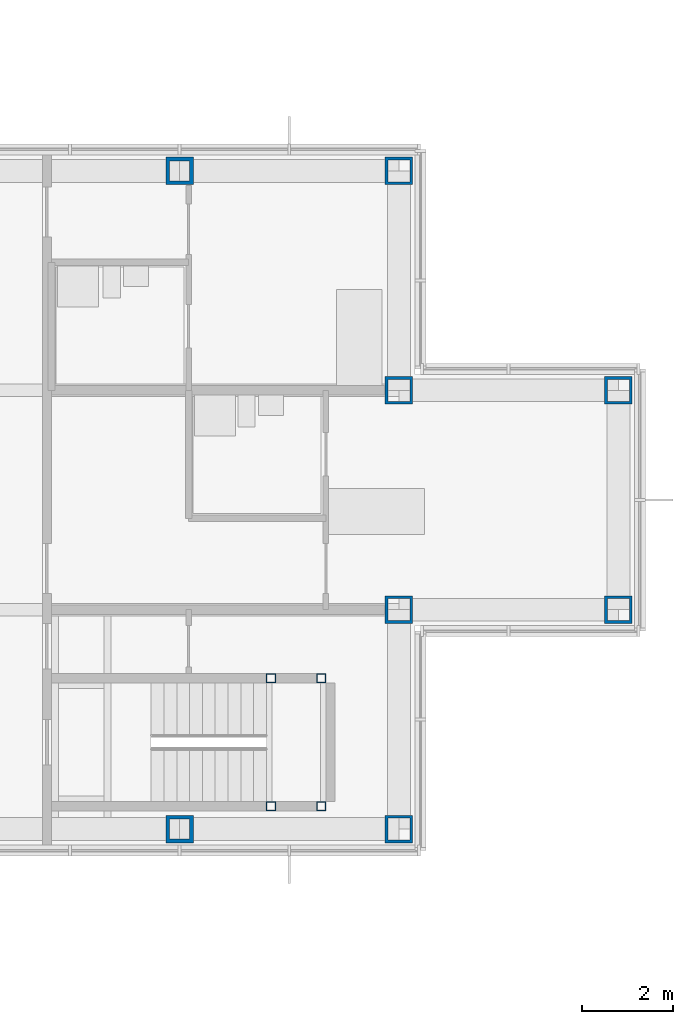
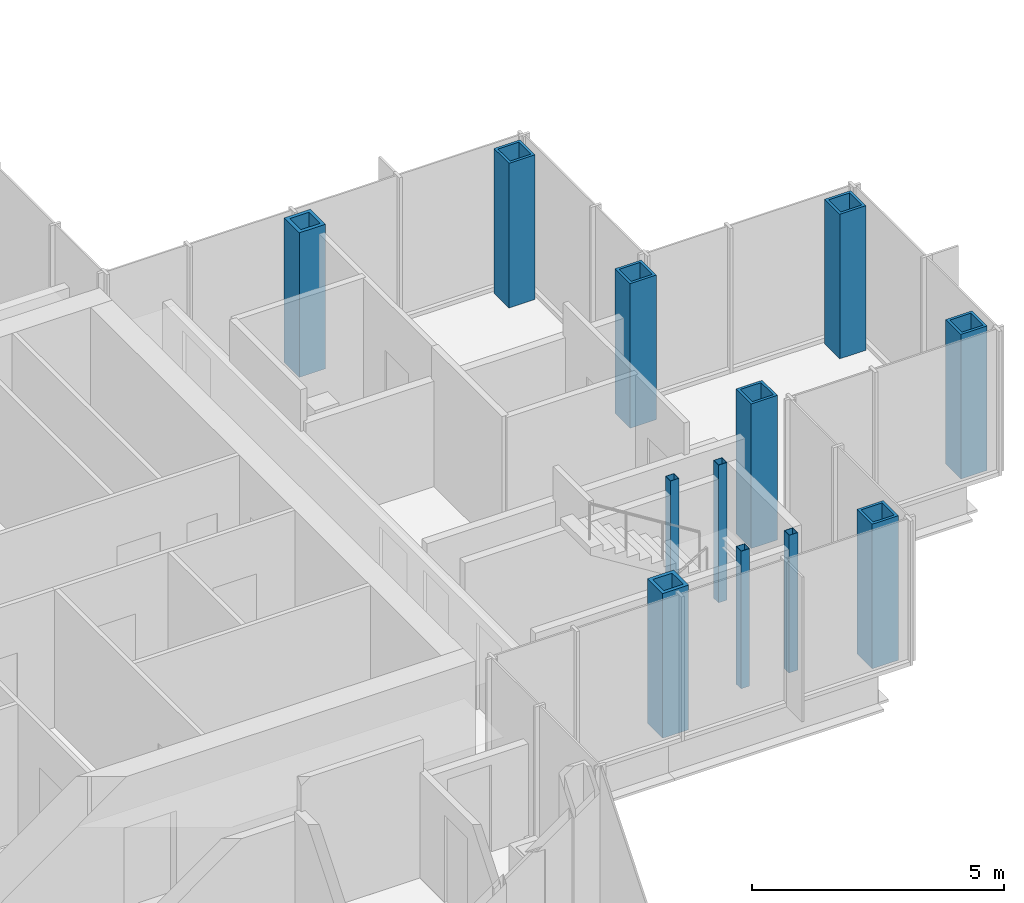
# One storey, part 4 of 17: 12 columns.
"""IFC4 building model written with IfcOpenShell, lengths in metres."""

from ifc_helpers import new_model, si_unit, direction, frame, origin, origin_2d, place, context, subcontext, project, spatial, hollow_rectangle, extrude, material, material_profile, profile_set, type_object, element, save


model = new_model("IFC4")

# Units and contexts
model_context = context("Model", 3, precision=1e-05, world=origin(), true_north=direction((0.0, 1.0)))
body_context = subcontext(model_context, "Body", "Model", "MODEL_VIEW")
ifc_project = project(units=[si_unit("LENGTHUNIT", "METRE"), si_unit("AREAUNIT", "SQUARE_METRE"), si_unit("VOLUMEUNIT", "CUBIC_METRE"), si_unit("PLANEANGLEUNIT", "RADIAN"), si_unit("MASSUNIT", "GRAM", prefix="KILO")], contexts=[model_context])

# Site, building, storey
site_placement = place(None, origin())
site = spatial("IfcSite", under=ifc_project, at=site_placement, CompositionType="ELEMENT")
building_placement = place(site_placement, origin())
building = spatial("IfcBuilding", under=site, at=building_placement, Name="Kvirike Care Tower", CompositionType="ELEMENT")
storey_placement = place(building_placement, frame((0.0, 0.0, 155.0)))
storey = spatial("IfcBuildingStorey", under=building, at=storey_placement, Name="L42", CompositionType="ELEMENT", Elevation=155.0)

# Columns
ifc_material_1 = material(Name="Steel S460", Category="steel")
ifc_material_profile_1 = material_profile(ifc_material_1, hollow_rectangle(XDim=0.60009765625, YDim=0.60009765625, WallThickness=0.06005859375, at=origin_2d()), Name="BX 600x600x60")
ifc_profile_set_1 = profile_set([ifc_material_profile_1], Name="Steel S460")
column_type_1 = type_object("IfcColumnType", Name="COLUMN BX 600x600x60", PredefinedType="COLUMN", material=ifc_profile_set_1)
for number, where, z_axis, x_axis, name in (
    (1, (38.39990234375, 28.800048828125, 0.0), (0.0, 0.0, 1.0), (0.0, 1.0, 0.0), "Column G11 L42"),
    (2, (38.39990234375, 33.60009765625, 0.0), (0.0, 0.0, 1.0), (0.0, 1.0, 0.0), "Column H11 L42"),
    (3, (38.39990234375, 38.39990234375, 0.0), (0.0, 0.0, 1.0), (0.0, 1.0, 0.0), "Column J11 L42"),
    (4, (38.39990234375, 43.199951171875, 0.0), (0.0, 0.0, 1.0), (0.0, 1.0, 0.0), "Column K11 L42"),
    (5, (43.199951171875, 33.60009765625, 0.0), (0.0, 0.0, 1.0), (0.0, 1.0, 0.0), "Column H12 L42"),
    (6, (43.199951171875, 38.39990234375, 0.0), (0.0, 0.0, 1.0), (0.0, 1.0, 0.0), "Column J12 L42"),
):
    element("IfcColumn", number, at=place(storey_placement, frame(where, z_axis=z_axis, x_axis=x_axis)), inside=storey, type_object=column_type_1, Name=name, PredefinedType="COLUMN", context=body_context, shape_type="SweptSolid", body=[
        extrude(hollow_rectangle(XDim=0.60009765625, YDim=0.60009765625, WallThickness=0.06005859375, at=origin_2d()), origin(), (0.0, 0.0, 1.0), 3.5),
    ])
ifc_material_2 = material(Name="Steel S460", Category="steel")
ifc_material_profile_2 = material_profile(ifc_material_2, hollow_rectangle(XDim=0.60009765625, YDim=0.60009765625, WallThickness=0.080078125, at=origin_2d()), Name="BX 600x600x80")
ifc_profile_set_2 = profile_set([ifc_material_profile_2], Name="Steel S460")
column_type_2 = type_object("IfcColumnType", Name="COLUMN BX 600x600x80", PredefinedType="COLUMN", material=ifc_profile_set_2)
for number, where, z_axis, x_axis, name in (
    (7, (33.60009765625, 28.800048828125, 0.0), (0.0, 0.0, 1.0), (0.0, 1.0, 0.0), "Column G10 L42"),
    (8, (33.60009765625, 43.199951171875, 0.0), (0.0, 0.0, 1.0), (0.0, 1.0, 0.0), "Column K10 L42"),
):
    element("IfcColumn", number, at=place(storey_placement, frame(where, z_axis=z_axis, x_axis=x_axis)), inside=storey, type_object=column_type_2, Name=name, PredefinedType="COLUMN", context=body_context, shape_type="SweptSolid", body=[
        extrude(hollow_rectangle(XDim=0.60009765625, YDim=0.60009765625, WallThickness=0.080078125, at=origin_2d()), origin(), (0.0, 0.0, 1.0), 3.5),
    ])
ifc_material_3 = material(Name="Steel S460", Category="steel")
ifc_material_profile_3 = material_profile(ifc_material_3, hollow_rectangle(XDim=0.199951171875, YDim=0.199951171875, WallThickness=0.008056640625, at=origin_2d()), Name="SHS 200x200x8")
ifc_profile_set_3 = profile_set([ifc_material_profile_3], Name="Steel S460")
column_type_3 = type_object("IfcColumnType", Name="STAIR POST SHS 200x200x8", PredefinedType="COLUMN", material=ifc_profile_set_3)
for number, where, z_axis, x_axis, name in (
    (9, (36.699951171875, 29.300048828125, 0.0), (0.0, 0.0, 1.0), (1.0, 0.0, 0.0), "Stair 2 post 1 L42"),
    (10, (36.699951171875, 32.10009765625, 0.0), (0.0, 0.0, 1.0), (1.0, 0.0, 0.0), "Stair 2 post 2 L42"),
    (11, (35.60009765625, 29.300048828125, 0.0), (0.0, 0.0, 1.0), (1.0, 0.0, 0.0), "Stair 2 post 3 L42"),
    (12, (35.60009765625, 32.10009765625, 0.0), (0.0, 0.0, 1.0), (1.0, 0.0, 0.0), "Stair 2 post 4 L42"),
):
    element("IfcColumn", number, at=place(storey_placement, frame(where, z_axis=z_axis, x_axis=x_axis)), inside=storey, type_object=column_type_3, Name=name, PredefinedType="COLUMN", context=body_context, shape_type="SweptSolid", body=[
        extrude(hollow_rectangle(XDim=0.199951171875, YDim=0.199951171875, WallThickness=0.008056640625, at=origin_2d()), origin(), (0.0, 0.0, 1.0), 3.330078125),
    ])

save(model, "model.ifc")
